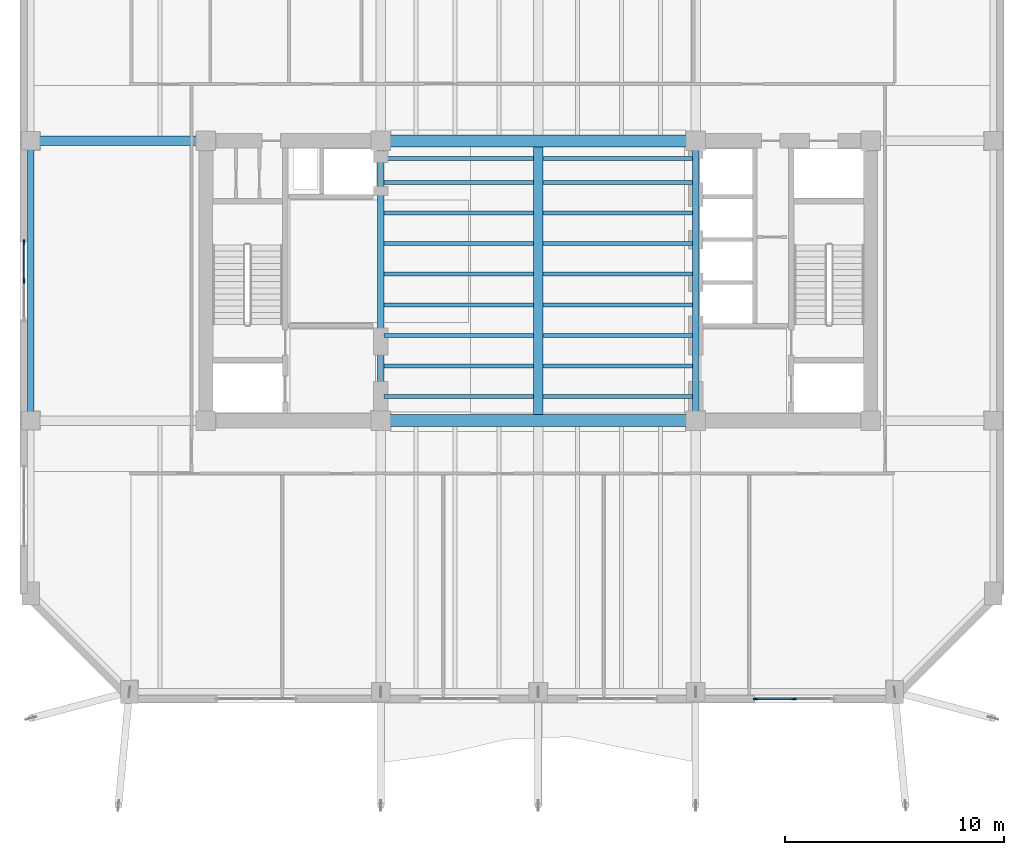
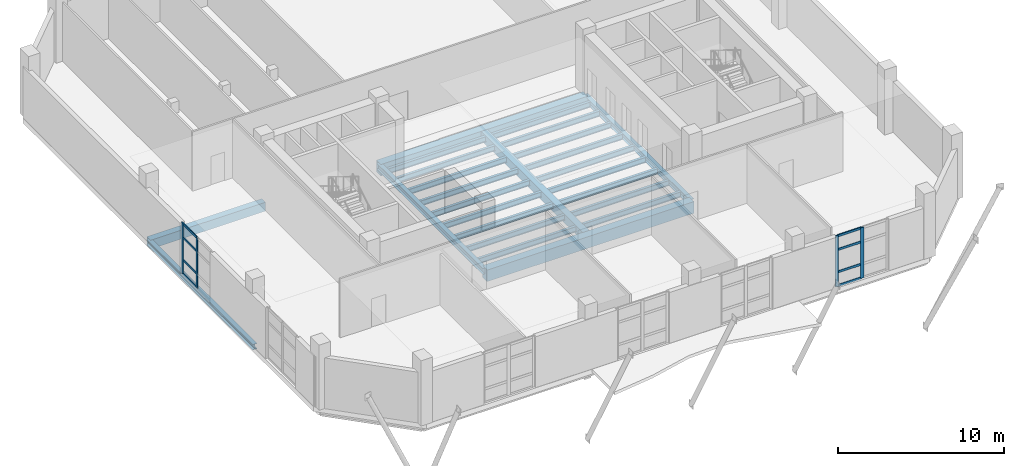
# One storey, part 3 of 15: 25 beams, 12 members, 2 elements without a shape of their own.
"""IFC4 building model written with IfcOpenShell, lengths in metres."""

from ifc_helpers import new_model, si_unit, direction, frame, origin, origin_2d, place, context, subcontext, project, spatial, rectangle, i_section, extrude, material, layer, layer_set, material_profile, profile_set, type_object, element, aggregate, save


model = new_model("IFC4")

# Units and contexts
model_context = context("Model", 3, precision=1e-05, world=origin(), true_north=direction((0.0, 1.0)))
body_context = subcontext(model_context, "Body", "Model", "MODEL_VIEW")
ifc_project = project(units=[si_unit("LENGTHUNIT", "METRE"), si_unit("AREAUNIT", "SQUARE_METRE"), si_unit("VOLUMEUNIT", "CUBIC_METRE"), si_unit("PLANEANGLEUNIT", "RADIAN"), si_unit("MASSUNIT", "GRAM", prefix="KILO")], contexts=[model_context])

# Site, building, storey
site_placement = place(None, origin())
site = spatial("IfcSite", under=ifc_project, at=site_placement, CompositionType="ELEMENT")
building_placement = place(site_placement, origin())
building = spatial("IfcBuilding", under=site, at=building_placement, Name="Kranthara Brick Stack", CompositionType="ELEMENT")
storey_placement = place(building_placement, frame((0.0, 0.0, 202.699951171875)))
storey = spatial("IfcBuildingStorey", under=building, at=storey_placement, Name="L52", CompositionType="ELEMENT", Elevation=202.699951171875)

# Beams
ifc_material_1 = material(Name="Concrete C50/60", Category="concrete")
ifc_material_profile_1 = material_profile(ifc_material_1, rectangle(XDim=0.550048828125, YDim=0.85009765625, at=origin_2d()), Name="RC 550x850")
ifc_profile_set_1 = profile_set([ifc_material_profile_1], Name="Concrete C50/60")
beam_type_1 = type_object("IfcBeamType", Name="BM-CPL-RC850", PredefinedType="LINTEL", material=ifc_profile_set_1)
for number, where, z_axis, x_axis, name in (
    (1, (20.800048828125, 20.800048828125, -0.784912109375), (1.0, 0.0, 0.0), (0.0, 1.0, 0.0), "L52 Core Coupling Beam 001"),
    (2, (20.800048828125, 33.60009765625, -0.784912109375), (1.0, 0.0, 0.0), (0.0, 1.0, 0.0), "L52 Core Coupling Beam 002"),
):
    element("IfcBeam", number, at=place(storey_placement, frame(where, z_axis=z_axis, x_axis=x_axis)), inside=storey, type_object=beam_type_1, Name=name, PredefinedType="LINTEL", context=body_context, shape_type="SweptSolid", body=[
        extrude(rectangle(XDim=0.550048828125, YDim=0.85009765625, at=origin_2d()), origin(), (0.0, 0.0, 1.0), 14.39990234375),
    ])
ifc_material_2 = material(Name="Post-tensioned concrete C45/55", Category="concrete")
ifc_material_profile_2 = material_profile(ifc_material_2, rectangle(XDim=0.449951171875, YDim=0.64990234375, at=origin_2d()), Name="PT 450x650")
ifc_profile_set_2 = profile_set([ifc_material_profile_2], Name="Post-tensioned concrete C45/55")
beam_type_2 = type_object("IfcBeamType", Name="BM-FLR-PT650", PredefinedType="BEAM", material=ifc_profile_set_2)
beam_1_placement = place(storey_placement, frame((28.0, 21.074951171875, -0.68505859375), z_axis=(0.0, 1.0, 0.0), x_axis=(-1.0, 0.0, 0.0)))
element("IfcBeam", 3, at=beam_1_placement, inside=storey, type_object=beam_type_2, Name="L52 Central Spine Girder 026", PredefinedType="BEAM", context=body_context, shape_type="SweptSolid", body=[
    extrude(rectangle(XDim=0.449951171875, YDim=0.64990234375, at=origin_2d()), origin(), (0.0, 0.0, 1.0), 12.25),
])
beam_2_placement = place(storey_placement, frame((4.800048828125, 33.60009765625, -0.68505859375), z_axis=(1.0, 0.0, 0.0), x_axis=(0.0, 1.0, 0.0)))
element("IfcBeam", 4, at=beam_2_placement, inside=storey, type_object=beam_type_2, Name="L52 Primary Grid Girder 032", PredefinedType="BEAM", context=body_context, shape_type="SweptSolid", body=[
    extrude(rectangle(XDim=0.449951171875, YDim=0.64990234375, at=origin_2d()), origin(), (0.0, 0.0, 1.0), 8.0),
])
ifc_material_3 = material(Name="Steel S355", Category="steel")
ifc_material_profile_3 = material_profile(ifc_material_3, i_section(OverallWidth=0.179931640625, OverallDepth=0.39990234375, WebThickness=0.008544921875, FlangeThickness=0.013427734375, at=origin_2d()), Name="IPE 400")
ifc_profile_set_3 = profile_set([ifc_material_profile_3], Name="Steel S355")
beam_type_3 = type_object("IfcBeamType", Name="BM-JST-IPE400", PredefinedType="JOIST", material=ifc_profile_set_3)
for number, where, z_axis, x_axis, name in (
    (5, (20.949951171875, 21.89990234375, -0.56005859375), (1.0, 0.0, 0.0), (0.0, 1.0, 0.0), "L52 Central Floor Joist 034"),
    (6, (28.22509765625, 21.89990234375, -0.56005859375), (1.0, 0.0, 0.0), (0.0, 1.0, 0.0), "L52 Central Floor Joist 035"),
    (7, (20.949951171875, 23.300048828125, -0.56005859375), (1.0, 0.0, 0.0), (0.0, 1.0, 0.0), "L52 Central Floor Joist 036"),
    (8, (28.22509765625, 23.300048828125, -0.56005859375), (1.0, 0.0, 0.0), (0.0, 1.0, 0.0), "L52 Central Floor Joist 037"),
    (9, (20.949951171875, 24.699951171875, -0.56005859375), (1.0, 0.0, 0.0), (0.0, 1.0, 0.0), "L52 Central Floor Joist 038"),
    (10, (28.22509765625, 24.699951171875, -0.56005859375), (1.0, 0.0, 0.0), (0.0, 1.0, 0.0), "L52 Central Floor Joist 039"),
    (11, (20.949951171875, 26.10009765625, -0.56005859375), (1.0, 0.0, 0.0), (0.0, 1.0, 0.0), "L52 Central Floor Joist 040"),
    (12, (28.22509765625, 26.10009765625, -0.56005859375), (1.0, 0.0, 0.0), (0.0, 1.0, 0.0), "L52 Central Floor Joist 041"),
    (13, (20.949951171875, 27.5, -0.56005859375), (1.0, 0.0, 0.0), (0.0, 1.0, 0.0), "L52 Central Floor Joist 042"),
    (14, (28.22509765625, 27.5, -0.56005859375), (1.0, 0.0, 0.0), (0.0, 1.0, 0.0), "L52 Central Floor Joist 043"),
    (15, (20.949951171875, 28.89990234375, -0.56005859375), (1.0, 0.0, 0.0), (0.0, 1.0, 0.0), "L52 Central Floor Joist 044"),
    (16, (28.22509765625, 28.89990234375, -0.56005859375), (1.0, 0.0, 0.0), (0.0, 1.0, 0.0), "L52 Central Floor Joist 045"),
    (17, (20.949951171875, 30.300048828125, -0.56005859375), (1.0, 0.0, 0.0), (0.0, 1.0, 0.0), "L52 Central Floor Joist 046"),
    (18, (28.22509765625, 30.300048828125, -0.56005859375), (1.0, 0.0, 0.0), (0.0, 1.0, 0.0), "L52 Central Floor Joist 047"),
    (19, (20.949951171875, 31.699951171875, -0.56005859375), (1.0, 0.0, 0.0), (0.0, 1.0, 0.0), "L52 Central Floor Joist 048"),
    (20, (28.22509765625, 31.699951171875, -0.56005859375), (1.0, 0.0, 0.0), (0.0, 1.0, 0.0), "L52 Central Floor Joist 049"),
    (21, (20.949951171875, 32.800048828125, -0.56005859375), (1.0, 0.0, 0.0), (0.0, 1.0, 0.0), "L52 Central Floor Joist 050"),
    (22, (28.22509765625, 32.800048828125, -0.56005859375), (1.0, 0.0, 0.0), (0.0, 1.0, 0.0), "L52 Central Floor Joist 051"),
):
    element("IfcBeam", number, at=place(storey_placement, frame(where, z_axis=z_axis, x_axis=x_axis)), inside=storey, type_object=beam_type_3, Name=name, PredefinedType="JOIST", context=body_context, shape_type="SweptSolid", body=[
        extrude(i_section(OverallWidth=0.179931640625, OverallDepth=0.39990234375, WebThickness=0.008544921875, FlangeThickness=0.013427734375, at=origin_2d()), origin(), (0.0, 0.0, 1.0), 6.824951171875),
    ])
ifc_material_4 = material(Name="Steel S355", Category="steel")
ifc_material_profile_4 = material_profile(ifc_material_4, i_section(OverallWidth=0.300048828125, OverallDepth=0.39990234375, WebThickness=0.013427734375, FlangeThickness=0.02392578125, at=origin_2d()), Name="HEB 400")
ifc_profile_set_4 = profile_set([ifc_material_profile_4], Name="Steel S355")
beam_type_4 = type_object("IfcBeamType", Name="BM-STL-HEB400", PredefinedType="SPANDREL", material=ifc_profile_set_4)
beam_3_placement = place(storey_placement, frame((4.800048828125, 20.800048828125, -0.56005859375), z_axis=(0.0, 1.0, 0.0), x_axis=(-1.0, 0.0, 0.0)))
element("IfcBeam", 23, at=beam_3_placement, inside=storey, type_object=beam_type_4, Name="L52 Perimeter Spandrel Beam 014", PredefinedType="SPANDREL", context=body_context, shape_type="SweptSolid", body=[
    extrude(i_section(OverallWidth=0.300048828125, OverallDepth=0.39990234375, WebThickness=0.013427734375, FlangeThickness=0.02392578125, at=origin_2d()), origin(), (0.0, 0.0, 1.0), 12.800048828125),
])
ifc_material_5 = material(Name="Steel S355", Category="steel")
ifc_material_profile_5 = material_profile(ifc_material_5, i_section(OverallWidth=0.300048828125, OverallDepth=0.449951171875, WebThickness=0.013916015625, FlangeThickness=0.02587890625, at=origin_2d()), Name="HEB 450")
ifc_profile_set_5 = profile_set([ifc_material_profile_5], Name="Steel S355")
beam_type_5 = type_object("IfcBeamType", Name="BM-STL-HEB450", PredefinedType="SPANDREL", material=ifc_profile_set_5)
for number, where, z_axis, x_axis, name in (
    (24, (20.800048828125, 20.800048828125, -0.5849609375), (0.0, 1.0, 0.0), (-1.0, 0.0, 0.0), "L52 Core Edge Tie Beam 003"),
    (25, (35.199951171875, 20.800048828125, -0.5849609375), (0.0, 1.0, 0.0), (-1.0, 0.0, 0.0), "L52 Core Edge Tie Beam 004"),
):
    element("IfcBeam", number, at=place(storey_placement, frame(where, z_axis=z_axis, x_axis=x_axis)), inside=storey, type_object=beam_type_5, Name=name, PredefinedType="SPANDREL", context=body_context, shape_type="SweptSolid", body=[
        extrude(i_section(OverallWidth=0.300048828125, OverallDepth=0.449951171875, WebThickness=0.013916015625, FlangeThickness=0.02587890625, at=origin_2d()), origin(), (0.0, 0.0, 1.0), 12.800048828125),
    ])

# Curtain wall, members
ifc_material_6 = material(Name="Bronze anodised aluminium and low-E glass", Category="aluminium")
ifc_layer = layer(ifc_material_6, 0.199951171875)
ifc_layer_set = layer_set([ifc_layer], Name="Bronze anodised aluminium and low-E glass")
curtain_wall_type = type_object("IfcCurtainWallType", Name="CW-SYS4-SKYLOBBY2", PredefinedType="USERDEFINED", material=ifc_layer_set)
curtain_wall_1_placement = place(storey_placement, origin())
curtain_wall_1 = element("IfcCurtainWall", 26, at=curtain_wall_1_placement, inside=storey, type_object=curtain_wall_type, Name="L52 Curtain Wall CW4-L52-01", ObjectType="UNITISED CURTAIN WALL", PredefinedType="USERDEFINED")
ifc_material_7 = material(Name="Bronze anodised aluminium 6063-T6", Category="aluminium")
ifc_material_profile_6 = material_profile(ifc_material_7, rectangle(XDim=0.074951171875, YDim=0.219970703125, at=origin_2d()), Name="ALU MULLION 75x220")
ifc_profile_set_6 = profile_set([ifc_material_profile_6], Name="Bronze anodised aluminium 6063-T6")
member_type_1 = type_object("IfcMemberType", Name="CWM-75x220", PredefinedType="MULLION", material=ifc_profile_set_6)
member_1_placement = place(storey_placement, frame((39.699951171875, 8.080078125, 0.0), z_axis=(0.0, 0.0, 1.0), x_axis=(0.0, -1.0, 0.0)))
member_1 = element("IfcMember", 27, at=member_1_placement, type_object=member_type_1, Name="CW mullion 2", PredefinedType="MULLION", context=body_context, shape_type="SweptSolid", body=[
    extrude(rectangle(XDim=0.074951171875, YDim=0.219970703125, at=origin_2d()), origin(), (0.0, 0.0, 1.0), 3.735107421875),
])
member_2_placement = place(storey_placement, frame((37.9375, 8.080078125, 0.0), z_axis=(0.0, 0.0, 1.0), x_axis=(0.0, -1.0, 0.0)))
member_2 = element("IfcMember", 28, at=member_2_placement, type_object=member_type_1, Name="CW mullion 3", PredefinedType="MULLION", context=body_context, shape_type="SweptSolid", body=[
    extrude(rectangle(XDim=0.074951171875, YDim=0.219970703125, at=origin_2d()), origin(), (0.0, 0.0, 1.0), 3.735107421875),
])

curtain_wall_2_placement = place(storey_placement, origin())
curtain_wall_2 = element("IfcCurtainWall", 29, at=curtain_wall_2_placement, inside=storey, type_object=curtain_wall_type, Name="L52 Curtain Wall CW4-L52-06", ObjectType="UNITISED CURTAIN WALL", PredefinedType="USERDEFINED")
member_3_placement = place(storey_placement, frame((4.47998046875, 27.199951171875, 0.0), z_axis=(0.0, 0.0, 1.0), x_axis=(-1.0, 0.0, 0.0)))
member_3 = element("IfcMember", 30, at=member_3_placement, type_object=member_type_1, Name="CW mullion 2", PredefinedType="MULLION", context=body_context, shape_type="SweptSolid", body=[
    extrude(rectangle(XDim=0.074951171875, YDim=0.219970703125, at=origin_2d()), origin(), (0.0, 0.0, 1.0), 3.735107421875),
])
member_4_placement = place(storey_placement, frame((4.47998046875, 28.96240234375, 0.0), z_axis=(0.0, 0.0, 1.0), x_axis=(-1.0, 0.0, 0.0)))
member_4 = element("IfcMember", 31, at=member_4_placement, type_object=member_type_1, Name="CW mullion 3", PredefinedType="MULLION", context=body_context, shape_type="SweptSolid", body=[
    extrude(rectangle(XDim=0.074951171875, YDim=0.219970703125, at=origin_2d()), origin(), (0.0, 0.0, 1.0), 3.735107421875),
])

# Member
ifc_material_8 = material(Name="Bronze anodised aluminium 6063-T6", Category="aluminium")
ifc_material_profile_7 = material_profile(ifc_material_8, rectangle(XDim=0.074951171875, YDim=0.1650390625, at=origin_2d()), Name="ALU TRANSOM 75x165")
ifc_profile_set_7 = profile_set([ifc_material_profile_7], Name="Bronze anodised aluminium 6063-T6")
member_type_2 = type_object("IfcMemberType", Name="CWT-75x165", PredefinedType="USERDEFINED", material=ifc_profile_set_7)
member_5_placement = place(storey_placement, frame((39.66259765625, 8.080078125, 0.03759765625), z_axis=(-1.0, 0.0, 0.0), x_axis=(0.0, -1.0, 0.0)))
member_5 = element("IfcMember", 32, at=member_5_placement, type_object=member_type_2, Name="CW transom 2.1", ObjectType="TRANSOM", PredefinedType="USERDEFINED", context=body_context, shape_type="SweptSolid", body=[
    extrude(rectangle(XDim=0.074951171875, YDim=0.1650390625, at=origin_2d()), origin(), (0.0, 0.0, 1.0), 1.6875),
])

member_6_placement = place(storey_placement, frame((39.66259765625, 8.080078125, 1.0458984375), z_axis=(-1.0, 0.0, 0.0), x_axis=(0.0, -1.0, 0.0)))
member_6 = element("IfcMember", 33, at=member_6_placement, type_object=member_type_2, Name="CW transom 2.2", ObjectType="TRANSOM", PredefinedType="USERDEFINED", context=body_context, shape_type="SweptSolid", body=[
    extrude(rectangle(XDim=0.074951171875, YDim=0.1650390625, at=origin_2d()), origin(), (0.0, 0.0, 1.0), 1.6875),
])

member_7_placement = place(storey_placement, frame((39.66259765625, 8.080078125, 2.689208984375), z_axis=(-1.0, 0.0, 0.0), x_axis=(0.0, -1.0, 0.0)))
member_7 = element("IfcMember", 34, at=member_7_placement, type_object=member_type_2, Name="CW transom 2.3", ObjectType="TRANSOM", PredefinedType="USERDEFINED", context=body_context, shape_type="SweptSolid", body=[
    extrude(rectangle(XDim=0.074951171875, YDim=0.1650390625, at=origin_2d()), origin(), (0.0, 0.0, 1.0), 1.6875),
])

member_8_placement = place(storey_placement, frame((39.66259765625, 8.080078125, 3.697509765625), z_axis=(-1.0, 0.0, 0.0), x_axis=(0.0, -1.0, 0.0)))
member_8 = element("IfcMember", 35, at=member_8_placement, type_object=member_type_2, Name="CW transom 2.4", ObjectType="TRANSOM", PredefinedType="USERDEFINED", context=body_context, shape_type="SweptSolid", body=[
    extrude(rectangle(XDim=0.074951171875, YDim=0.1650390625, at=origin_2d()), origin(), (0.0, 0.0, 1.0), 1.6875),
])

aggregate(curtain_wall_1, [member_1, member_2, member_5, member_6, member_7, member_8])

member_9_placement = place(storey_placement, frame((4.47998046875, 27.237548828125, 0.03759765625), z_axis=(0.0, 1.0, 0.0), x_axis=(-1.0, 0.0, 0.0)))
member_9 = element("IfcMember", 36, at=member_9_placement, type_object=member_type_2, Name="CW transom 2.1", ObjectType="TRANSOM", PredefinedType="USERDEFINED", context=body_context, shape_type="SweptSolid", body=[
    extrude(rectangle(XDim=0.074951171875, YDim=0.1650390625, at=origin_2d()), origin(), (0.0, 0.0, 1.0), 1.6875),
])

member_10_placement = place(storey_placement, frame((4.47998046875, 27.237548828125, 1.0458984375), z_axis=(0.0, 1.0, 0.0), x_axis=(-1.0, 0.0, 0.0)))
member_10 = element("IfcMember", 37, at=member_10_placement, type_object=member_type_2, Name="CW transom 2.2", ObjectType="TRANSOM", PredefinedType="USERDEFINED", context=body_context, shape_type="SweptSolid", body=[
    extrude(rectangle(XDim=0.074951171875, YDim=0.1650390625, at=origin_2d()), origin(), (0.0, 0.0, 1.0), 1.6875),
])

member_11_placement = place(storey_placement, frame((4.47998046875, 27.237548828125, 2.689208984375), z_axis=(0.0, 1.0, 0.0), x_axis=(-1.0, 0.0, 0.0)))
member_11 = element("IfcMember", 38, at=member_11_placement, type_object=member_type_2, Name="CW transom 2.3", ObjectType="TRANSOM", PredefinedType="USERDEFINED", context=body_context, shape_type="SweptSolid", body=[
    extrude(rectangle(XDim=0.074951171875, YDim=0.1650390625, at=origin_2d()), origin(), (0.0, 0.0, 1.0), 1.6875),
])

member_12_placement = place(storey_placement, frame((4.47998046875, 27.237548828125, 3.697509765625), z_axis=(0.0, 1.0, 0.0), x_axis=(-1.0, 0.0, 0.0)))
member_12 = element("IfcMember", 39, at=member_12_placement, type_object=member_type_2, Name="CW transom 2.4", ObjectType="TRANSOM", PredefinedType="USERDEFINED", context=body_context, shape_type="SweptSolid", body=[
    extrude(rectangle(XDim=0.074951171875, YDim=0.1650390625, at=origin_2d()), origin(), (0.0, 0.0, 1.0), 1.6875),
])

aggregate(curtain_wall_2, [member_3, member_4, member_9, member_10, member_11, member_12])

save(model, "model.ifc")
